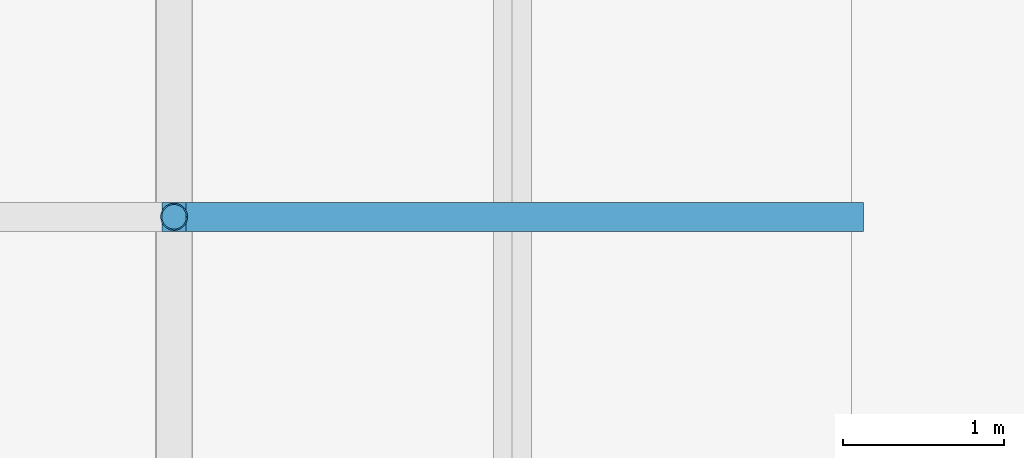
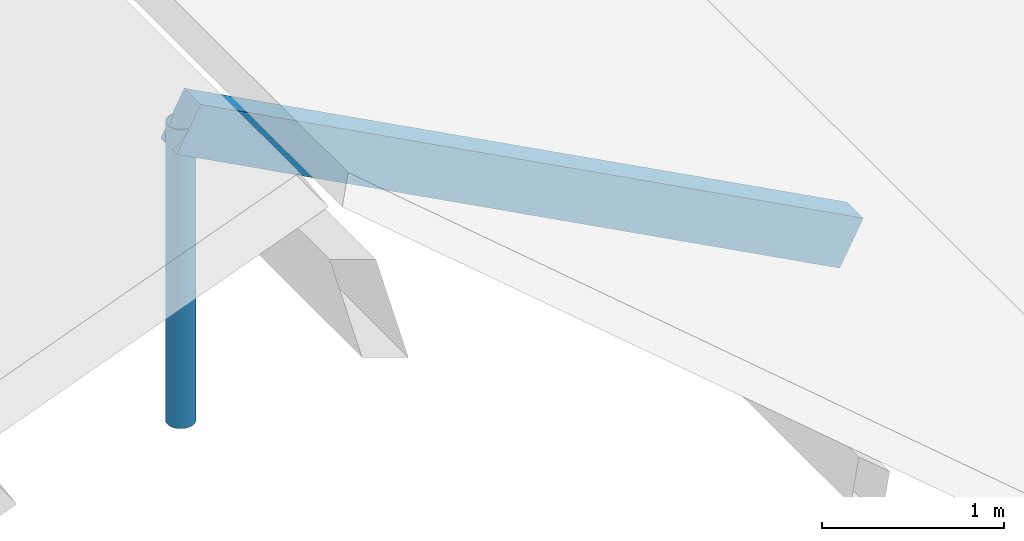
# One storey, part 66 of 82: 2 members.
"""IFC4 building model written with IfcOpenShell, lengths in metres."""

from ifc_helpers import new_model, si_unit, direction, frame, origin, origin_2d, place, context, subcontext, project, spatial, rectangle, hollow_circle, extrude, material, material_profile, profile_set, type_object, element, save


model = new_model("IFC4")

# Units and contexts
model_context = context("Model", 3, precision=1e-05, world=origin(), true_north=direction((0.0, 1.0)))
body_context = subcontext(model_context, "Body", "Model", "MODEL_VIEW")
ifc_project = project(units=[si_unit("LENGTHUNIT", "METRE"), si_unit("AREAUNIT", "SQUARE_METRE"), si_unit("VOLUMEUNIT", "CUBIC_METRE"), si_unit("PLANEANGLEUNIT", "RADIAN"), si_unit("MASSUNIT", "GRAM", prefix="KILO")], contexts=[model_context])

# Site, building, storey
site_placement = place(None, origin())
site = spatial("IfcSite", under=ifc_project, at=site_placement, CompositionType="ELEMENT")
building_placement = place(site_placement, origin())
building = spatial("IfcBuilding", under=site, at=building_placement, Name="Bramfleet General Hospital", CompositionType="ELEMENT")
storey_placement = place(building_placement, frame((0.0, 0.0, 34.199951171875)))
storey = spatial("IfcBuildingStorey", under=building, at=storey_placement, Name="Roof", CompositionType="ELEMENT", Elevation=34.199951171875)

# Members
ifc_material_1 = material(Name="Structural timber GL28h", Category="wood")
ifc_material_profile_1 = material_profile(ifc_material_1, rectangle(XDim=0.179931640625, YDim=0.320068359375, at=origin_2d()), Name="GL28h 320x180")
ifc_profile_set_1 = profile_set([ifc_material_profile_1], Name="Structural timber GL28h")
member_type_1 = type_object("IfcMemberType", Name="MEM-RF-GL320", PredefinedType="RAFTER", material=ifc_profile_set_1)
member_1_placement = place(storey_placement, frame((113.39990234375, 109.199951171875, 1.561279296875), z_axis=(0.882958848035, 0.0, -0.469450394267), x_axis=(0.0, 1.0, 0.0)))
element("IfcMember", 1, at=member_1_placement, inside=storey, type_object=member_type_1, Name="Patient House PH-04 East Glulam Rafter 2", PredefinedType="RAFTER", context=body_context, shape_type="SweptSolid", body=[
    extrude(rectangle(XDim=0.179931640625, YDim=0.320068359375, at=origin_2d()), origin(), (0.0, 0.0, 1.0), 4.7568359375),
])
ifc_material_2 = material(Name="Steel S355", Category="steel")
ifc_material_profile_2 = material_profile(ifc_material_2, hollow_circle(Radius=0.084228515625, WallThickness=0.008056640625, at=origin_2d()), Name="CHS 168.3x8.0")
ifc_profile_set_2 = profile_set([ifc_material_profile_2], Name="Steel S355")
member_type_2 = type_object("IfcMemberType", Name="MEM-SF-DG1", PredefinedType="STRUT", material=ifc_profile_set_2)
member_2_placement = place(storey_placement, frame((113.39990234375, 109.199951171875, -0.43994140625), z_axis=(0.0, 0.0, 1.0), x_axis=(1.0, 0.0, 0.0)))
element("IfcMember", 2, at=member_2_placement, inside=storey, type_object=member_type_2, Name="Patient House PH-04 Ridge Timber Post 2", PredefinedType="STRUT", context=body_context, shape_type="SweptSolid", body=[
    extrude(hollow_circle(Radius=0.084228515625, WallThickness=0.008056640625, at=origin_2d()), origin(), (0.0, 0.0, 1.0), 2.001220703125),
])

save(model, "model.ifc")
